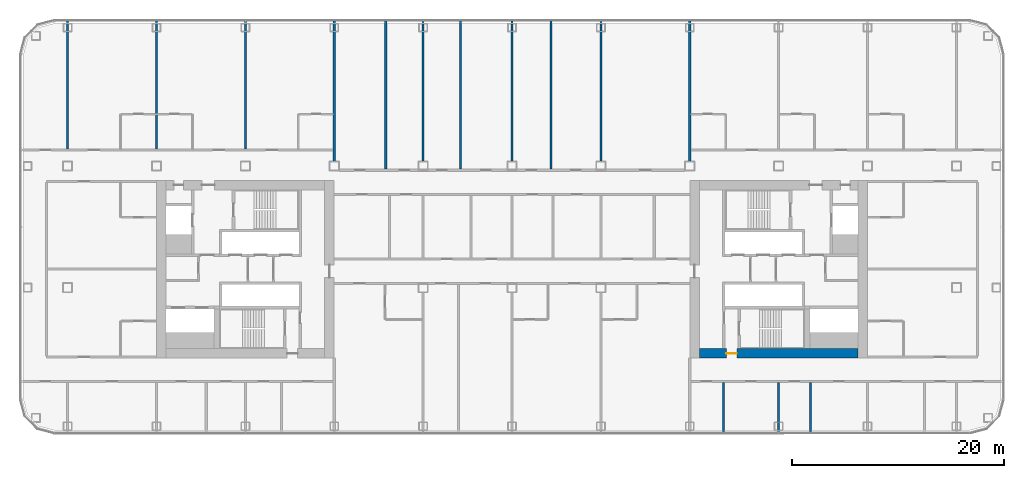
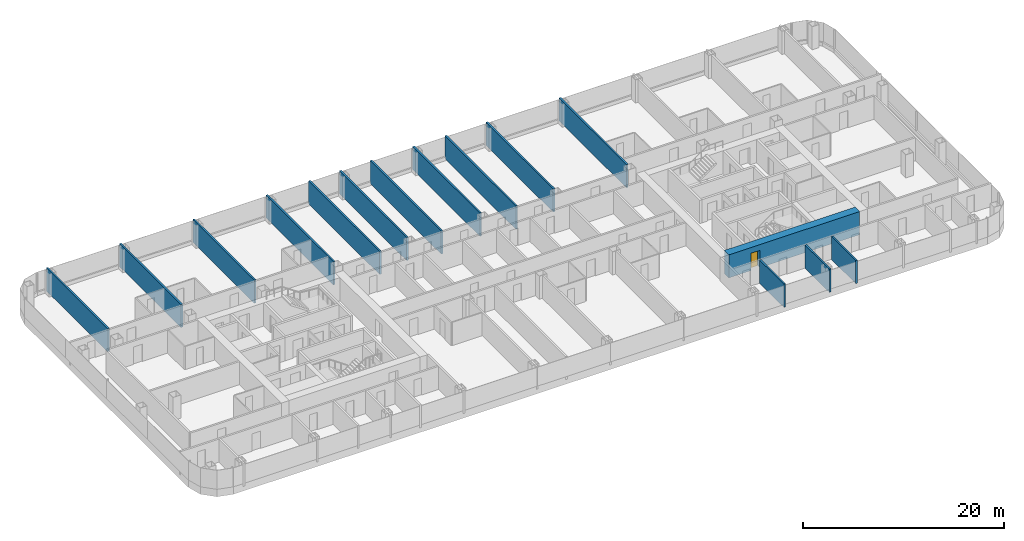
# One storey, part 18 of 29: 15 walls, 1 door, 1 opening.
"""IFC4 building model written with IfcOpenShell, lengths in metres."""

from ifc_helpers import new_model, si_unit, direction, frame, frame_2d, origin, place, context, subcontext, project, spatial, rectangle, extrude, material, layer, layer_set, type_object, element, fill, save


model = new_model("IFC4")

# Units and contexts
model_context = context("Model", 3, precision=1e-05, world=origin(), true_north=direction((0.0, 1.0)))
body_context = subcontext(model_context, "Body", "Model", "MODEL_VIEW")
ifc_project = project(units=[si_unit("LENGTHUNIT", "METRE"), si_unit("AREAUNIT", "SQUARE_METRE"), si_unit("VOLUMEUNIT", "CUBIC_METRE"), si_unit("PLANEANGLEUNIT", "RADIAN"), si_unit("MASSUNIT", "GRAM", prefix="KILO")], contexts=[model_context])

# Site, building, storey
site_placement = place(None, origin())
site = spatial("IfcSite", under=ifc_project, at=site_placement, CompositionType="ELEMENT")
building_placement = place(site_placement, origin())
building = spatial("IfcBuilding", under=site, at=building_placement, Name="Hakoniwa Tower and Hamabe Station Hall", CompositionType="ELEMENT")
storey_placement = place(building_placement, frame((0.0, 0.0, 75.39990234375)))
storey = spatial("IfcBuildingStorey", under=building, at=storey_placement, Name="L20", CompositionType="ELEMENT", Elevation=75.39990234375)

# Wall, opening, door
ifc_material_1 = material(Name="Concrete C72", Category="concrete")
ifc_layer_1 = layer(ifc_material_1, 0.89990234375)
ifc_layer_set_1 = layer_set([ifc_layer_1], Name="CORE WALL 900 C72")
wall_type_1 = type_object("IfcWallType", Name="CORE WALL 900 C72", PredefinedType="SHEAR", material=ifc_layer_set_1)
wall_1_placement = place(storey_placement, frame((17.699951171875, -7.949951171875, 0.0), z_axis=(0.0, 0.0, 1.0), x_axis=(1.0, 0.0, 0.0)))
wall_1 = element("IfcWall", 1, at=wall_1_placement, inside=storey, type_object=wall_type_1, Name="Core wall SOUTH east", PredefinedType="SHEAR", context=body_context, shape_type="SweptSolid", body=[
    extrude(rectangle(XDim=15.0, YDim=0.89990234375, at=frame_2d((7.5, 0.0))), origin(), (0.0, 0.0, 1.0), 2.800048828125),
])
opening_placement = place(wall_1_placement, frame((2.550048828125, 0.0, 0.0)))
opening = element("IfcOpeningElement", 2, at=opening_placement, cuts=wall_1, Name="Opening CD-E-FS3-10", PredefinedType="OPENING", context=body_context, shape_type="SweptSolid", body=[
    extrude(rectangle(XDim=1.0, YDim=2.10009765625, at=frame_2d((0.5, 1.050048828125))), frame((0.0, 0.4599609375, 0.0), z_axis=(0.0, -1.0, 0.0), x_axis=(1.0, 0.0, 0.0)), (0.0, 0.0, 1.0), 0.919921875),
])
ifc_material_2 = material(Name="Steel fire door", Category="steel")
door_type = type_object("IfcDoorType", Name="CORE DOOR 1000 FD60", OperationType="NOTDEFINED", PredefinedType="DOOR", material=ifc_material_2)
door_placement = place(opening_placement, origin())
door = element("IfcDoor", 3, at=door_placement, inside=storey, type_object=door_type, Name="Stair vestibule door", OperationType="SINGLE_SWING_RIGHT", OverallHeight=2.10009765625, OverallWidth=1.0, PredefinedType="DOOR", context=body_context, shape_type="SweptSolid", body=[
    extrude(rectangle(XDim=1.0, YDim=2.10009765625, at=frame_2d((0.5, 1.050048828125))), frame((0.0, 0.02490234375, 0.0), z_axis=(0.0, -1.0, 0.0), x_axis=(1.0, 0.0, 0.0)), (0.0, 0.0, 1.0), 0.050048828125),
])
fill(opening, door)

# Walls
ifc_material_3 = material(Name="Fire-rated gypsum board partition", Category="gypsum")
ifc_layer_2 = layer(ifc_material_3, 0.199951171875)
ifc_layer_set_2 = layer_set([ifc_layer_2], Name="Party Wall 200")
wall_type_2 = type_object("IfcWallType", Name="Party Wall 200", PredefinedType="PARTITIONING", material=ifc_layer_set_2)
for number, where, z_axis, x_axis, name in (
    (4, (-42.0, 11.35009765625, 0.0), (0.0, 0.0, 1.0), (0.0, 1.0, 0.0), "GW-L20-029"),
    (5, (-33.60009765625, 11.35009765625, 0.0), (0.0, 0.0, 1.0), (0.0, 1.0, 0.0), "GW-L20-034"),
    (6, (-25.199951171875, 11.35009765625, 0.0), (0.0, 0.0, 1.0), (0.0, 1.0, 0.0), "GW-L20-038"),
):
    element("IfcWall", number, at=place(storey_placement, frame(where, z_axis=z_axis, x_axis=x_axis)), inside=storey, type_object=wall_type_2, Name=name, PredefinedType="PARTITIONING", context=body_context, shape_type="SweptSolid", body=[
        extrude(rectangle(XDim=12.199951171875, YDim=0.199951171875, at=frame_2d((6.10009765625, 0.0))), origin(), (0.0, 0.0, 1.0), 2.800048828125),
    ])
wall_2_placement = place(storey_placement, frame((-16.800048828125, 10.18994140625, 0.0), z_axis=(0.0, 0.0, 1.0), x_axis=(0.0, 1.0, 0.0)))
element("IfcWall", 7, at=wall_2_placement, inside=storey, type_object=wall_type_2, Name="GW-L20-042", PredefinedType="PARTITIONING", context=body_context, shape_type="SweptSolid", body=[
    extrude(rectangle(XDim=13.360107421875, YDim=0.199951171875, at=frame_2d((6.68017578125, 0.0))), origin(), (0.0, 0.0, 1.0), 2.800048828125),
])
wall_3_placement = place(storey_placement, frame((-11.929931640625, 9.449951171875, 0.0), z_axis=(0.0, 0.0, 1.0), x_axis=(0.0, 1.0, 0.0)))
element("IfcWall", 8, at=wall_3_placement, inside=storey, type_object=wall_type_2, Name="GW-L20-044", PredefinedType="PARTITIONING", context=body_context, shape_type="SweptSolid", body=[
    extrude(rectangle(XDim=14.10009765625, YDim=0.199951171875, at=frame_2d((7.050048828125, 0.0))), origin(), (0.0, 0.0, 1.0), 2.800048828125),
])
wall_4_placement = place(storey_placement, frame((-8.39990234375, 10.18994140625, 0.0), z_axis=(0.0, 0.0, 1.0), x_axis=(0.0, 1.0, 0.0)))
element("IfcWall", 9, at=wall_4_placement, inside=storey, type_object=wall_type_2, Name="GW-L20-048", PredefinedType="PARTITIONING", context=body_context, shape_type="SweptSolid", body=[
    extrude(rectangle(XDim=13.360107421875, YDim=0.199951171875, at=frame_2d((6.68017578125, 0.0))), origin(), (0.0, 0.0, 1.0), 2.800048828125),
])
wall_5_placement = place(storey_placement, frame((-4.8701171875, 9.449951171875, 0.0), z_axis=(0.0, 0.0, 1.0), x_axis=(0.0, 1.0, 0.0)))
element("IfcWall", 10, at=wall_5_placement, inside=storey, type_object=wall_type_2, Name="GW-L20-050", PredefinedType="PARTITIONING", context=body_context, shape_type="SweptSolid", body=[
    extrude(rectangle(XDim=14.10009765625, YDim=0.199951171875, at=frame_2d((7.050048828125, 0.0))), origin(), (0.0, 0.0, 1.0), 2.800048828125),
])
wall_6_placement = place(storey_placement, frame((0.0, 10.18994140625, 0.0), z_axis=(0.0, 0.0, 1.0), x_axis=(0.0, 1.0, 0.0)))
element("IfcWall", 11, at=wall_6_placement, inside=storey, type_object=wall_type_2, Name="GW-L20-054", PredefinedType="PARTITIONING", context=body_context, shape_type="SweptSolid", body=[
    extrude(rectangle(XDim=13.360107421875, YDim=0.199951171875, at=frame_2d((6.68017578125, 0.0))), origin(), (0.0, 0.0, 1.0), 2.800048828125),
])
wall_7_placement = place(storey_placement, frame((3.699951171875, 9.449951171875, 0.0), z_axis=(0.0, 0.0, 1.0), x_axis=(0.0, 1.0, 0.0)))
element("IfcWall", 12, at=wall_7_placement, inside=storey, type_object=wall_type_2, Name="GW-L20-056", PredefinedType="PARTITIONING", context=body_context, shape_type="SweptSolid", body=[
    extrude(rectangle(XDim=14.10009765625, YDim=0.199951171875, at=frame_2d((7.050048828125, 0.0))), origin(), (0.0, 0.0, 1.0), 2.800048828125),
])
for number, where, z_axis, x_axis, name in (
    (13, (8.39990234375, 10.18994140625, 0.0), (0.0, 0.0, 1.0), (0.0, 1.0, 0.0), "GW-L20-060"),
    (14, (16.800048828125, 10.18994140625, 0.0), (0.0, 0.0, 1.0), (0.0, 1.0, 0.0), "GW-L20-064"),
):
    element("IfcWall", number, at=place(storey_placement, frame(where, z_axis=z_axis, x_axis=x_axis)), inside=storey, type_object=wall_type_2, Name=name, PredefinedType="PARTITIONING", context=body_context, shape_type="SweptSolid", body=[
        extrude(rectangle(XDim=13.360107421875, YDim=0.199951171875, at=frame_2d((6.68017578125, 0.0))), origin(), (0.0, 0.0, 1.0), 2.800048828125),
    ])
for number, where, z_axis, x_axis, name in (
    (15, (19.989990234375, -15.550048828125, 0.0), (0.0, 0.0, 1.0), (0.0, 1.0, 0.0), "GW-L20-065"),
    (16, (25.199951171875, -15.550048828125, 0.0), (0.0, 0.0, 1.0), (0.0, 1.0, 0.0), "GW-L20-067"),
    (17, (28.219970703125, -15.550048828125, 0.0), (0.0, 0.0, 1.0), (0.0, 1.0, 0.0), "GW-L20-069"),
):
    element("IfcWall", number, at=place(storey_placement, frame(where, z_axis=z_axis, x_axis=x_axis)), inside=storey, type_object=wall_type_2, Name=name, PredefinedType="PARTITIONING", context=body_context, shape_type="SweptSolid", body=[
        extrude(rectangle(XDim=4.85009765625, YDim=0.199951171875, at=frame_2d((2.425048828125, 0.0))), origin(), (0.0, 0.0, 1.0), 2.800048828125),
    ])

save(model, "model.ifc")
